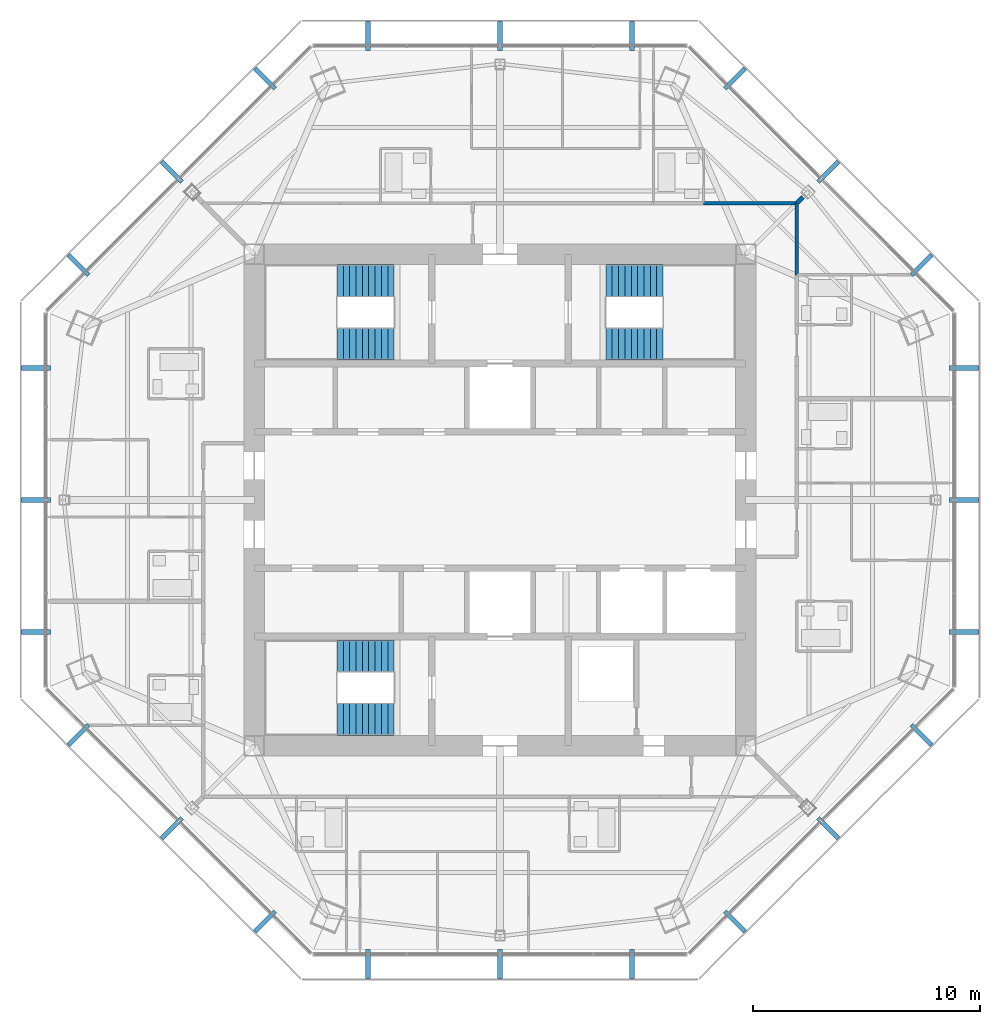
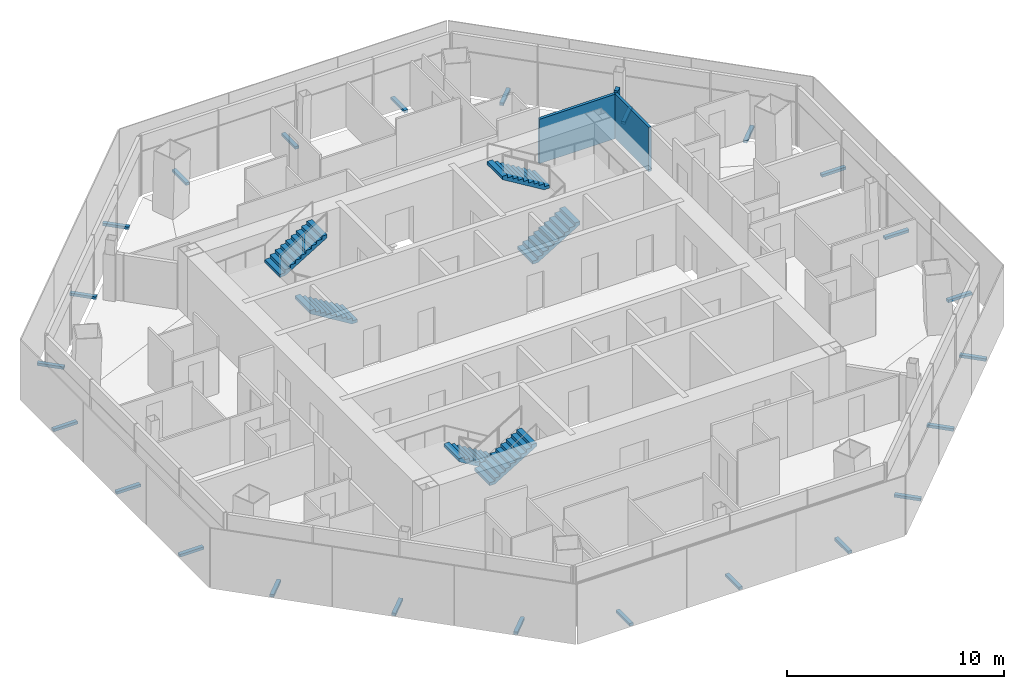
# One storey, part 12 of 14: 24 discrete accessories, 6 stair flights, 3 walls, 3 elements without a shape of their own.
"""IFC4 building model written with IfcOpenShell, lengths in metres."""

from ifc_helpers import new_model, si_unit, direction, frame, frame_2d, origin, origin_2d, place, context, subcontext, project, spatial, polyline, rectangle, outline, extrude, source, transform, mapped, material, layer, layer_set, type_object, type_shapes, element, aggregate, save


model = new_model("IFC4")

# Units and contexts
model_context = context("Model", 3, precision=1e-05, world=origin(), true_north=direction((0.0, 1.0)))
body_context = subcontext(model_context, "Body", "Model", "MODEL_VIEW")
ifc_project = project(units=[si_unit("LENGTHUNIT", "METRE"), si_unit("AREAUNIT", "SQUARE_METRE"), si_unit("VOLUMEUNIT", "CUBIC_METRE"), si_unit("PLANEANGLEUNIT", "RADIAN"), si_unit("MASSUNIT", "GRAM", prefix="KILO")], contexts=[model_context])

# Site, building, storey
site_placement = place(None, origin())
site = spatial("IfcSite", under=ifc_project, at=site_placement, CompositionType="ELEMENT")
building_placement = place(site_placement, origin())
building = spatial("IfcBuilding", under=site, at=building_placement, Name="Mashrafa Tower", CompositionType="ELEMENT")
storey_placement = place(building_placement, frame((0.0, 0.0, 284.39990234375)))
storey = spatial("IfcBuildingStorey", under=building, at=storey_placement, Name="L69", CompositionType="ELEMENT", Elevation=284.39990234375)

# Walls
ifc_material_1 = material(Name="Gypsum board on steel studs", Category="steel")
ifc_layer_1 = layer(ifc_material_1, 0.199951171875)
ifc_layer_set_1 = layer_set([ifc_layer_1], Name="Acoustic partition 200 1 hr")
wall_type_1 = type_object("IfcWallType", Name="Acoustic partition 200 1 hr", PredefinedType="PARTITIONING", material=ifc_layer_set_1)
wall_1_placement = place(storey_placement, frame((13.314208984375, 13.314208984375, 0.0), z_axis=(0.0, 0.0, 1.0), x_axis=(-0.707106781187, -0.707106781187, 0.0)))
element("IfcWall", 1, at=wall_1_placement, inside=storey, type_object=wall_type_1, Name="Acoustic wall L69-050", PredefinedType="PARTITIONING", context=body_context, shape_type="SweptSolid", body=[
    extrude(rectangle(XDim=0.32080078125, YDim=0.199951171875, at=frame_2d((0.160400390625, 0.0))), origin(), (0.0, 0.0, 1.0), 2.590576171875),
])
ifc_material_2 = material(Name="Gypsum board on steel studs", Category="steel")
ifc_layer_2 = layer(ifc_material_2, 0.14990234375)
ifc_layer_set_2 = layer_set([ifc_layer_2], Name="Corridor partition 150 1 hr")
wall_type_2 = type_object("IfcWallType", Name="Corridor partition 150 1 hr", PredefinedType="PARTITIONING", material=ifc_layer_set_2)
wall_2_placement = place(storey_placement, frame((13.050048828125, 9.89892578125, 0.0), z_axis=(0.0, 0.0, 1.0), x_axis=(0.0, 1.0, 0.0)))
element("IfcWall", 2, at=wall_2_placement, inside=storey, type_object=wall_type_2, Name="Corridor wall L69-005", PredefinedType="PARTITIONING", context=body_context, shape_type="SweptSolid", body=[
    extrude(rectangle(XDim=3.151123046875, YDim=0.14990234375, at=frame_2d((1.57568359375, 0.0))), origin(), (0.0, 0.0, 1.0), 2.49658203125),
])
wall_3_placement = place(storey_placement, frame((13.050048828125, 13.050048828125, 0.0), z_axis=(0.0, 0.0, 1.0), x_axis=(-1.0, 0.0, 0.0)))
element("IfcWall", 3, at=wall_3_placement, inside=storey, type_object=wall_type_2, Name="Corridor wall L69-010", PredefinedType="PARTITIONING", context=body_context, shape_type="SweptSolid", body=[
    extrude(rectangle(XDim=4.10107421875, YDim=0.14990234375, at=frame_2d((2.050537109375, 0.0))), origin(), (0.0, 0.0, 1.0), 2.49658203125),
])

# Stair, stair flights
ifc_material_3 = material(Name="Exit stair 1400")
stair_type = type_object("IfcStairType", Name="Exit stair 1400", PredefinedType="HALF_TURN_STAIR", material=ifc_material_3)
stair_1_placement = place(storey_placement, origin())
stair_1 = element("IfcStair", 4, at=stair_1_placement, inside=storey, type_object=stair_type, Name="Stair S1 L69", PredefinedType="HALF_TURN_STAIR")
ifc_material_4 = material(Name="Concrete C32/40", Category="concrete")
stair_flight_type = type_object("IfcStairFlightType", Name="Stair flight 1400", PredefinedType="STRAIGHT", material=ifc_material_4)
stair_flight_1_placement = place(storey_placement, frame((-4.64990234375, 6.85009765625, 0.0), z_axis=(0.0, 0.0, 1.0), x_axis=(-1.0, 0.0, 0.0)))
stair_flight_1 = element("IfcStairFlight", 5, at=stair_flight_1_placement, type_object=stair_flight_type, Name="S1 flight 1", NumberOfRisers=10, NumberOfTreads=9, PredefinedType="STRAIGHT", RiserHeight=0.17, TreadLength=0.28, context=body_context, shape_type="SweptSolid", body=[
    extrude(outline(polyline([(0.0, 0.0), (0.0, 0.169921875), (0.280029296875, 0.169921875), (0.280029296875, 0.340087890625), (0.56005859375, 0.340087890625), (0.56005859375, 0.510009765625), (0.840087890625, 0.510009765625), (0.840087890625, 0.679931640625), (1.1201171875, 0.679931640625), (1.1201171875, 0.85009765625), (1.39990234375, 0.85009765625), (1.39990234375, 1.02001953125), (1.679931640625, 1.02001953125), (1.679931640625, 1.18994140625), (1.9599609375, 1.18994140625), (1.9599609375, 1.360107421875), (2.239990234375, 1.360107421875), (2.239990234375, 1.530029296875), (2.52001953125, 1.530029296875), (2.52001953125, 1.699951171875), (2.52001953125, 1.354736328125), (0.288818359375, 0.0), (0.0, 0.0)])), frame((0.0, 0.699951171875, 0.0), z_axis=(0.0, -1.0, 0.0), x_axis=(1.0, 0.0, 0.0)), (0.0, 0.0, 1.0), 1.39990234375),
])
stair_flight_2_placement = place(storey_placement, frame((-7.169921875, 9.64990234375, 1.7001953125), z_axis=(0.0, 0.0, 1.0), x_axis=(1.0, 0.0, 0.0)))
stair_flight_2 = element("IfcStairFlight", 6, at=stair_flight_2_placement, type_object=stair_flight_type, Name="S1 flight 2", NumberOfRisers=10, NumberOfTreads=9, PredefinedType="STRAIGHT", RiserHeight=0.17, TreadLength=0.28, context=body_context, shape_type="SweptSolid", body=[
    extrude(outline(polyline([(0.0, 0.0), (0.0, 0.169921875), (0.280029296875, 0.169921875), (0.280029296875, 0.340087890625), (0.56005859375, 0.340087890625), (0.56005859375, 0.510009765625), (0.840087890625, 0.510009765625), (0.840087890625, 0.679931640625), (1.1201171875, 0.679931640625), (1.1201171875, 0.85009765625), (1.39990234375, 0.85009765625), (1.39990234375, 1.02001953125), (1.679931640625, 1.02001953125), (1.679931640625, 1.18994140625), (1.9599609375, 1.18994140625), (1.9599609375, 1.360107421875), (2.239990234375, 1.360107421875), (2.239990234375, 1.530029296875), (2.52001953125, 1.530029296875), (2.52001953125, 1.699951171875), (2.52001953125, 1.354736328125), (0.288818359375, 0.0), (0.0, 0.0)])), frame((0.0, 0.699951171875, 0.0), z_axis=(0.0, -1.0, 0.0), x_axis=(1.0, 0.0, 0.0)), (0.0, 0.0, 1.0), 1.39990234375),
])
aggregate(stair_1, [stair_flight_1, stair_flight_2])

stair_2_placement = place(storey_placement, origin())
stair_2 = element("IfcStair", 7, at=stair_2_placement, inside=storey, type_object=stair_type, Name="Stair S2 L69", PredefinedType="HALF_TURN_STAIR")
stair_flight_3_placement = place(storey_placement, frame((4.64990234375, 6.85009765625, 0.0), z_axis=(0.0, 0.0, 1.0), x_axis=(1.0, 0.0, 0.0)))
stair_flight_3 = element("IfcStairFlight", 8, at=stair_flight_3_placement, type_object=stair_flight_type, Name="S2 flight 1", NumberOfRisers=10, NumberOfTreads=9, PredefinedType="STRAIGHT", RiserHeight=0.17, TreadLength=0.28, context=body_context, shape_type="SweptSolid", body=[
    extrude(outline(polyline([(0.0, 0.0), (0.0, 0.169921875), (0.280029296875, 0.169921875), (0.280029296875, 0.340087890625), (0.56005859375, 0.340087890625), (0.56005859375, 0.510009765625), (0.840087890625, 0.510009765625), (0.840087890625, 0.679931640625), (1.1201171875, 0.679931640625), (1.1201171875, 0.85009765625), (1.39990234375, 0.85009765625), (1.39990234375, 1.02001953125), (1.679931640625, 1.02001953125), (1.679931640625, 1.18994140625), (1.9599609375, 1.18994140625), (1.9599609375, 1.360107421875), (2.239990234375, 1.360107421875), (2.239990234375, 1.530029296875), (2.52001953125, 1.530029296875), (2.52001953125, 1.699951171875), (2.52001953125, 1.354736328125), (0.288818359375, 0.0), (0.0, 0.0)])), frame((0.0, 0.699951171875, 0.0), z_axis=(0.0, -1.0, 0.0), x_axis=(1.0, 0.0, 0.0)), (0.0, 0.0, 1.0), 1.39990234375),
])
stair_flight_4_placement = place(storey_placement, frame((7.169921875, 9.64990234375, 1.7001953125), z_axis=(0.0, 0.0, 1.0), x_axis=(-1.0, 0.0, 0.0)))
stair_flight_4 = element("IfcStairFlight", 9, at=stair_flight_4_placement, type_object=stair_flight_type, Name="S2 flight 2", NumberOfRisers=10, NumberOfTreads=9, PredefinedType="STRAIGHT", RiserHeight=0.17, TreadLength=0.28, context=body_context, shape_type="SweptSolid", body=[
    extrude(outline(polyline([(0.0, 0.0), (0.0, 0.169921875), (0.280029296875, 0.169921875), (0.280029296875, 0.340087890625), (0.56005859375, 0.340087890625), (0.56005859375, 0.510009765625), (0.840087890625, 0.510009765625), (0.840087890625, 0.679931640625), (1.1201171875, 0.679931640625), (1.1201171875, 0.85009765625), (1.39990234375, 0.85009765625), (1.39990234375, 1.02001953125), (1.679931640625, 1.02001953125), (1.679931640625, 1.18994140625), (1.9599609375, 1.18994140625), (1.9599609375, 1.360107421875), (2.239990234375, 1.360107421875), (2.239990234375, 1.530029296875), (2.52001953125, 1.530029296875), (2.52001953125, 1.699951171875), (2.52001953125, 1.354736328125), (0.288818359375, 0.0), (0.0, 0.0)])), frame((0.0, 0.699951171875, 0.0), z_axis=(0.0, -1.0, 0.0), x_axis=(1.0, 0.0, 0.0)), (0.0, 0.0, 1.0), 1.39990234375),
])
aggregate(stair_2, [stair_flight_3, stair_flight_4])

stair_3_placement = place(storey_placement, origin())
stair_3 = element("IfcStair", 10, at=stair_3_placement, inside=storey, type_object=stair_type, Name="Stair S3 L69", PredefinedType="HALF_TURN_STAIR")
stair_flight_5_placement = place(storey_placement, frame((-4.64990234375, -6.85009765625, 0.0), z_axis=(0.0, 0.0, 1.0), x_axis=(-1.0, 0.0, 0.0)))
stair_flight_5 = element("IfcStairFlight", 11, at=stair_flight_5_placement, type_object=stair_flight_type, Name="S3 flight 1", NumberOfRisers=10, NumberOfTreads=9, PredefinedType="STRAIGHT", RiserHeight=0.17, TreadLength=0.28, context=body_context, shape_type="SweptSolid", body=[
    extrude(outline(polyline([(0.0, 0.0), (0.0, 0.169921875), (0.280029296875, 0.169921875), (0.280029296875, 0.340087890625), (0.56005859375, 0.340087890625), (0.56005859375, 0.510009765625), (0.840087890625, 0.510009765625), (0.840087890625, 0.679931640625), (1.1201171875, 0.679931640625), (1.1201171875, 0.85009765625), (1.39990234375, 0.85009765625), (1.39990234375, 1.02001953125), (1.679931640625, 1.02001953125), (1.679931640625, 1.18994140625), (1.9599609375, 1.18994140625), (1.9599609375, 1.360107421875), (2.239990234375, 1.360107421875), (2.239990234375, 1.530029296875), (2.52001953125, 1.530029296875), (2.52001953125, 1.699951171875), (2.52001953125, 1.354736328125), (0.288818359375, 0.0), (0.0, 0.0)])), frame((0.0, 0.699951171875, 0.0), z_axis=(0.0, -1.0, 0.0), x_axis=(1.0, 0.0, 0.0)), (0.0, 0.0, 1.0), 1.39990234375),
])
stair_flight_6_placement = place(storey_placement, frame((-7.169921875, -9.64990234375, 1.7001953125), z_axis=(0.0, 0.0, 1.0), x_axis=(1.0, 0.0, 0.0)))
stair_flight_6 = element("IfcStairFlight", 12, at=stair_flight_6_placement, type_object=stair_flight_type, Name="S3 flight 2", NumberOfRisers=10, NumberOfTreads=9, PredefinedType="STRAIGHT", RiserHeight=0.17, TreadLength=0.28, context=body_context, shape_type="SweptSolid", body=[
    extrude(outline(polyline([(0.0, 0.0), (0.0, 0.169921875), (0.280029296875, 0.169921875), (0.280029296875, 0.340087890625), (0.56005859375, 0.340087890625), (0.56005859375, 0.510009765625), (0.840087890625, 0.510009765625), (0.840087890625, 0.679931640625), (1.1201171875, 0.679931640625), (1.1201171875, 0.85009765625), (1.39990234375, 0.85009765625), (1.39990234375, 1.02001953125), (1.679931640625, 1.02001953125), (1.679931640625, 1.18994140625), (1.9599609375, 1.18994140625), (1.9599609375, 1.360107421875), (2.239990234375, 1.360107421875), (2.239990234375, 1.530029296875), (2.52001953125, 1.530029296875), (2.52001953125, 1.699951171875), (2.52001953125, 1.354736328125), (0.288818359375, 0.0), (0.0, 0.0)])), frame((0.0, 0.699951171875, 0.0), z_axis=(0.0, -1.0, 0.0), x_axis=(1.0, 0.0, 0.0)), (0.0, 0.0, 1.0), 1.39990234375),
])
aggregate(stair_3, [stair_flight_5, stair_flight_6])

# Discrete accessories
ifc_material_5 = material(Name="Stainless steel screen bracket", Category="steel")
discrete_accessory_type = type_object("IfcDiscreteAccessoryType", Name="Screen support bracket 200 x 150", PredefinedType="BRACKET", material=ifc_material_5)
shared_shape = source(origin(), body_context, "Body", "SweptSolid", [
    extrude(rectangle(XDim=0.199951171875, YDim=1.27001953125, at=origin_2d()), origin(), (0.0, 0.0, 1.0), 0.14990234375),
])
type_shapes(discrete_accessory_type, [shared_shape])
for number, where, z_axis, x_axis, name in (
    (13, (20.404541015625, -5.80322265625, -0.14990234375), (0.0, 0.0, 1.0), (0.0, 1.0, 0.0), "Screen support bracket L69 east 1"),
    (14, (20.404541015625, 0.0, -0.14990234375), (0.0, 0.0, 1.0), (0.0, 1.0, 0.0), "Screen support bracket L69 east 2"),
    (15, (20.404541015625, 5.80322265625, -0.14990234375), (0.0, 0.0, 1.0), (0.0, 1.0, 0.0), "Screen support bracket L69 east 3"),
    (16, (18.53173828125, 10.32470703125, -0.14990234375), (0.0, 0.0, 1.0), (-0.707106781187, 0.707106781187, 0.0), "Screen support bracket L69 north-east 1"),
    (17, (14.42822265625, 14.42822265625, -0.14990234375), (0.0, 0.0, 1.0), (-0.707106781187, 0.707106781187, 0.0), "Screen support bracket L69 north-east 2"),
    (18, (10.32470703125, 18.53173828125, -0.14990234375), (0.0, 0.0, 1.0), (-0.707106781187, 0.707106781187, 0.0), "Screen support bracket L69 north-east 3"),
    (19, (5.80322265625, 20.404541015625, -0.14990234375), (0.0, 0.0, 1.0), (-1.0, 0.0, 0.0), "Screen support bracket L69 north 1"),
    (20, (0.0, 20.404541015625, -0.14990234375), (0.0, 0.0, 1.0), (-1.0, 0.0, 0.0), "Screen support bracket L69 north 2"),
    (21, (-5.80322265625, 20.404541015625, -0.14990234375), (0.0, 0.0, 1.0), (-1.0, 0.0, 0.0), "Screen support bracket L69 north 3"),
    (22, (-10.32470703125, 18.53173828125, -0.14990234375), (0.0, 0.0, 1.0), (-0.707106781187, -0.707106781187, 0.0), "Screen support bracket L69 north-west 1"),
    (23, (-14.42822265625, 14.42822265625, -0.14990234375), (0.0, 0.0, 1.0), (-0.707106781187, -0.707106781187, 0.0), "Screen support bracket L69 north-west 2"),
    (24, (-18.53173828125, 10.32470703125, -0.14990234375), (0.0, 0.0, 1.0), (-0.707106781187, -0.707106781187, 0.0), "Screen support bracket L69 north-west 3"),
    (25, (-20.404541015625, 5.80322265625, -0.14990234375), (0.0, 0.0, 1.0), (0.0, -1.0, 0.0), "Screen support bracket L69 west 1"),
    (26, (-20.404541015625, 0.0, -0.14990234375), (0.0, 0.0, 1.0), (0.0, -1.0, 0.0), "Screen support bracket L69 west 2"),
    (27, (-20.404541015625, -5.80322265625, -0.14990234375), (0.0, 0.0, 1.0), (0.0, -1.0, 0.0), "Screen support bracket L69 west 3"),
    (28, (-18.53173828125, -10.32470703125, -0.14990234375), (0.0, 0.0, 1.0), (0.707106781187, -0.707106781187, 0.0), "Screen support bracket L69 south-west 1"),
    (29, (-14.42822265625, -14.42822265625, -0.14990234375), (0.0, 0.0, 1.0), (0.707106781187, -0.707106781187, 0.0), "Screen support bracket L69 south-west 2"),
    (30, (-10.32470703125, -18.53173828125, -0.14990234375), (0.0, 0.0, 1.0), (0.707106781187, -0.707106781187, 0.0), "Screen support bracket L69 south-west 3"),
    (31, (-5.80322265625, -20.404541015625, -0.14990234375), (0.0, 0.0, 1.0), (1.0, 0.0, 0.0), "Screen support bracket L69 south 1"),
    (32, (0.0, -20.404541015625, -0.14990234375), (0.0, 0.0, 1.0), (1.0, 0.0, 0.0), "Screen support bracket L69 south 2"),
    (33, (5.80322265625, -20.404541015625, -0.14990234375), (0.0, 0.0, 1.0), (1.0, 0.0, 0.0), "Screen support bracket L69 south 3"),
    (34, (10.32470703125, -18.53173828125, -0.14990234375), (0.0, 0.0, 1.0), (0.707106781187, 0.707106781187, 0.0), "Screen support bracket L69 south-east 1"),
    (35, (14.42822265625, -14.42822265625, -0.14990234375), (0.0, 0.0, 1.0), (0.707106781187, 0.707106781187, 0.0), "Screen support bracket L69 south-east 2"),
    (36, (18.53173828125, -10.32470703125, -0.14990234375), (0.0, 0.0, 1.0), (0.707106781187, 0.707106781187, 0.0), "Screen support bracket L69 south-east 3"),
):
    element("IfcDiscreteAccessory", number, at=place(storey_placement, frame(where, z_axis=z_axis, x_axis=x_axis)), inside=storey, type_object=discrete_accessory_type, Name=name, PredefinedType="BRACKET", context=body_context, shape_type="MappedRepresentation", body=[
        mapped(shared_shape, transform((0.0, 0.0, 0.0))),
    ])

save(model, "model.ifc")
